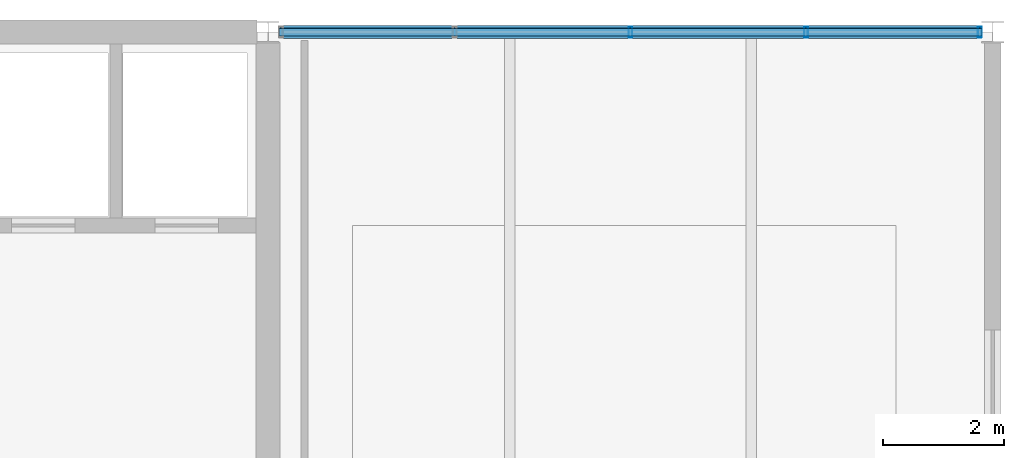
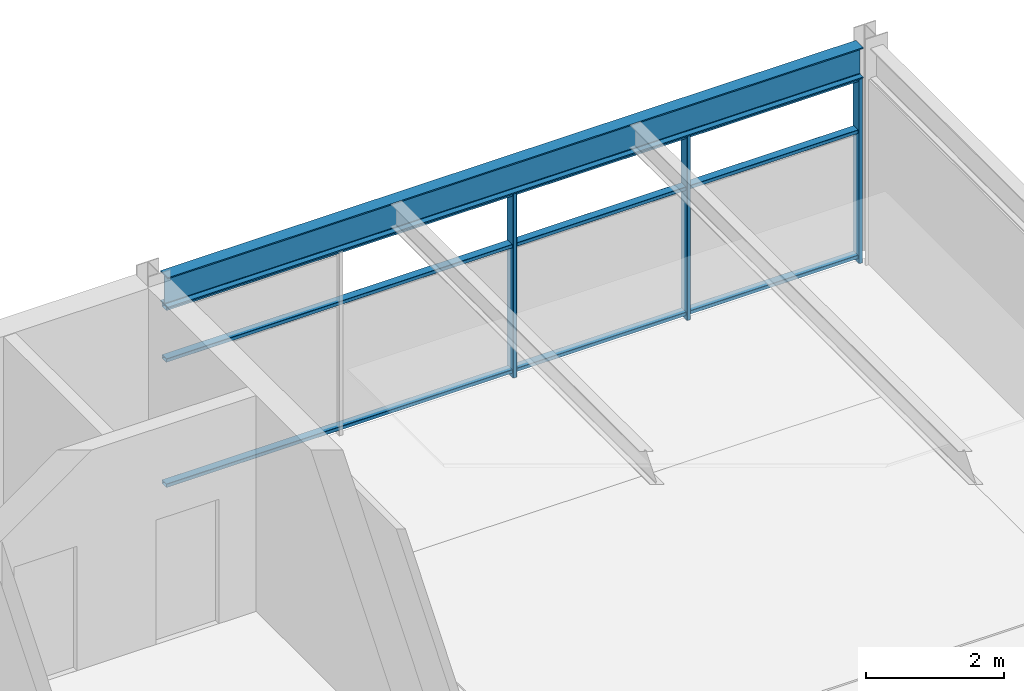
# One storey, part 33 of 40: 6 members, 1 beam, 1 element without a shape of its own.
"""IFC4 building model written with IfcOpenShell, lengths in metres."""

from ifc_helpers import new_model, si_unit, direction, frame, origin, origin_2d, place, context, subcontext, project, spatial, hollow_rectangle, i_section, extrude, material, material_profile, profile_set, type_object, element, aggregate, save


model = new_model("IFC4")

# Units and contexts
model_context = context("Model", 3, precision=1e-05, world=origin(), true_north=direction((0.0, 1.0)))
body_context = subcontext(model_context, "Body", "Model", "MODEL_VIEW")
ifc_project = project(units=[si_unit("LENGTHUNIT", "METRE"), si_unit("AREAUNIT", "SQUARE_METRE"), si_unit("VOLUMEUNIT", "CUBIC_METRE"), si_unit("PLANEANGLEUNIT", "RADIAN"), si_unit("MASSUNIT", "GRAM", prefix="KILO")], contexts=[model_context])

# Site, building, storey
site_placement = place(None, origin())
site = spatial("IfcSite", under=ifc_project, at=site_placement, CompositionType="ELEMENT")
building_placement = place(site_placement, origin())
building = spatial("IfcBuilding", under=site, at=building_placement, Name="Girod Span Mobility Hub", CompositionType="ELEMENT")
storey_placement = place(building_placement, frame((0.0, 0.0, 53.60009765625)))
storey = spatial("IfcBuildingStorey", under=building, at=storey_placement, Name="L13", CompositionType="ELEMENT", Elevation=53.60009765625)

# Beam
ifc_material_1 = material(Name="Steel A992 Grade 50", Category="steel")
ifc_material_profile_1 = material_profile(ifc_material_1, i_section(OverallWidth=0.2119140625, OverallDepth=0.5439453125, WebThickness=0.01318359375, FlangeThickness=0.021240234375, FilletRadius=0.014892578125, at=origin_2d()), Name="W21X83")
ifc_profile_set_1 = profile_set([ifc_material_profile_1], Name="Steel A992 Grade 50")
beam_type = type_object("IfcBeamType", Name="BM-STL-W21X83", PredefinedType="SPANDREL", material=ifc_profile_set_1)
beam_placement = place(storey_placement, frame((120.181396484375, 69.0, 3.54296875), z_axis=(1.0, 0.0, 0.0), x_axis=(0.0, 1.0, 0.0)))
element("IfcBeam", 1, at=beam_placement, inside=storey, type_object=beam_type, Name="Girder 11-12/F L13", PredefinedType="SPANDREL", context=body_context, shape_type="SweptSolid", body=[
    extrude(i_section(OverallWidth=0.2119140625, OverallDepth=0.5439453125, WebThickness=0.01318359375, FlangeThickness=0.021240234375, FilletRadius=0.014892578125, at=origin_2d()), origin(), (0.0, 0.0, 1.0), 11.63720703125),
])

# Curtain wall, members
ifc_material_2 = material(Name="Thermally Broken Anodised Aluminium", Category="aluminium")
curtain_wall_type = type_object("IfcCurtainWallType", Name="CW-1164X327", PredefinedType="USERDEFINED", material=ifc_material_2)
curtain_wall_placement = place(storey_placement, origin())
curtain_wall = element("IfcCurtainWall", 2, at=curtain_wall_placement, inside=storey, type_object=curtain_wall_type, Name="Unitised Curtain Wall CW-L13-N11 L13", ObjectType="UNITISED CURTAIN WALL", PredefinedType="USERDEFINED")
ifc_material_3 = material(Name="Thermally Broken Anodised Aluminium", Category="aluminium")
ifc_material_profile_2 = material_profile(ifc_material_3, hollow_rectangle(XDim=0.179931640625, YDim=0.06494140625, WallThickness=0.00390625, InnerFilletRadius=0.00390625, OuterFilletRadius=0.008056640625, at=origin_2d()), Name="CW-ML-65X180")
ifc_profile_set_2 = profile_set([ifc_material_profile_2], Name="Thermally Broken Anodised Aluminium")
member_type_1 = type_object("IfcMemberType", Name="CWM-ML-2", PredefinedType="MULLION", material=ifc_profile_set_2)
member_1_placement = place(storey_placement, frame((126.0, 69.0, 0.0), z_axis=(0.0, 0.0, 1.0), x_axis=(0.0, 1.0, 0.0)))
member_1 = element("IfcMember", 3, at=member_1_placement, type_object=member_type_1, Name="Curtain Wall Mullion CW-L13-N11-M2", PredefinedType="MULLION", context=body_context, shape_type="SweptSolid", body=[
    extrude(hollow_rectangle(XDim=0.179931640625, YDim=0.06494140625, WallThickness=0.00390625, InnerFilletRadius=0.00390625, OuterFilletRadius=0.008056640625, at=origin_2d()), origin(), (0.0, 0.0, 1.0), 3.27099609375),
])
member_2_placement = place(storey_placement, frame((128.90869140625, 69.0, 0.0), z_axis=(0.0, 0.0, 1.0), x_axis=(0.0, 1.0, 0.0)))
member_2 = element("IfcMember", 4, at=member_2_placement, type_object=member_type_1, Name="Curtain Wall Mullion CW-L13-N11-M3", PredefinedType="MULLION", context=body_context, shape_type="SweptSolid", body=[
    extrude(hollow_rectangle(XDim=0.179931640625, YDim=0.06494140625, WallThickness=0.00390625, InnerFilletRadius=0.00390625, OuterFilletRadius=0.008056640625, at=origin_2d()), origin(), (0.0, 0.0, 1.0), 3.27099609375),
])
member_3_placement = place(storey_placement, frame((131.785400390625, 69.0, 0.0), z_axis=(0.0, 0.0, 1.0), x_axis=(0.0, 1.0, 0.0)))
member_3 = element("IfcMember", 5, at=member_3_placement, type_object=member_type_1, Name="Curtain Wall Mullion CW-L13-N11-M4", PredefinedType="MULLION", context=body_context, shape_type="SweptSolid", body=[
    extrude(hollow_rectangle(XDim=0.179931640625, YDim=0.06494140625, WallThickness=0.00390625, InnerFilletRadius=0.00390625, OuterFilletRadius=0.008056640625, at=origin_2d()), origin(), (0.0, 0.0, 1.0), 3.27099609375),
])
ifc_material_4 = material(Name="Thermally Broken Anodised Aluminium", Category="aluminium")
ifc_material_profile_3 = material_profile(ifc_material_4, hollow_rectangle(XDim=0.135009765625, YDim=0.06494140625, WallThickness=0.00390625, InnerFilletRadius=0.00390625, OuterFilletRadius=0.008056640625, at=origin_2d()), Name="CW-TR-65X135")
ifc_profile_set_3 = profile_set([ifc_material_profile_3], Name="Thermally Broken Anodised Aluminium")
member_type_2 = type_object("IfcMemberType", Name="CWM-TR-2", PredefinedType="USERDEFINED", material=ifc_profile_set_3)
member_4_placement = place(storey_placement, frame((120.1826171875, 69.0, 0.107421875), z_axis=(1.0, 0.0, 0.0), x_axis=(0.0, 1.0, 0.0)))
member_4 = element("IfcMember", 6, at=member_4_placement, type_object=member_type_2, Name="Curtain Wall Transom CW-L13-N11-T1", ObjectType="TRANSOM", PredefinedType="USERDEFINED", context=body_context, shape_type="SweptSolid", body=[
    extrude(hollow_rectangle(XDim=0.135009765625, YDim=0.06494140625, WallThickness=0.00390625, InnerFilletRadius=0.00390625, OuterFilletRadius=0.008056640625, at=origin_2d()), origin(), (0.0, 0.0, 1.0), 11.634765625),
])
member_5_placement = place(storey_placement, frame((120.1826171875, 69.0, 2.322509765625), z_axis=(1.0, 0.0, 0.0), x_axis=(0.0, 1.0, 0.0)))
member_5 = element("IfcMember", 7, at=member_5_placement, type_object=member_type_2, Name="Curtain Wall Transom CW-L13-N11-T2", ObjectType="TRANSOM", PredefinedType="USERDEFINED", context=body_context, shape_type="SweptSolid", body=[
    extrude(hollow_rectangle(XDim=0.135009765625, YDim=0.06494140625, WallThickness=0.00390625, InnerFilletRadius=0.00390625, OuterFilletRadius=0.008056640625, at=origin_2d()), origin(), (0.0, 0.0, 1.0), 11.634765625),
])
member_6_placement = place(storey_placement, frame((120.1826171875, 69.0, 3.23828125), z_axis=(1.0, 0.0, 0.0), x_axis=(0.0, 1.0, 0.0)))
member_6 = element("IfcMember", 8, at=member_6_placement, type_object=member_type_2, Name="Curtain Wall Transom CW-L13-N11-T3", ObjectType="TRANSOM", PredefinedType="USERDEFINED", context=body_context, shape_type="SweptSolid", body=[
    extrude(hollow_rectangle(XDim=0.135009765625, YDim=0.06494140625, WallThickness=0.00390625, InnerFilletRadius=0.00390625, OuterFilletRadius=0.008056640625, at=origin_2d()), origin(), (0.0, 0.0, 1.0), 11.634765625),
])
aggregate(curtain_wall, [member_1, member_2, member_3, member_4, member_5, member_6])

save(model, "model.ifc")
